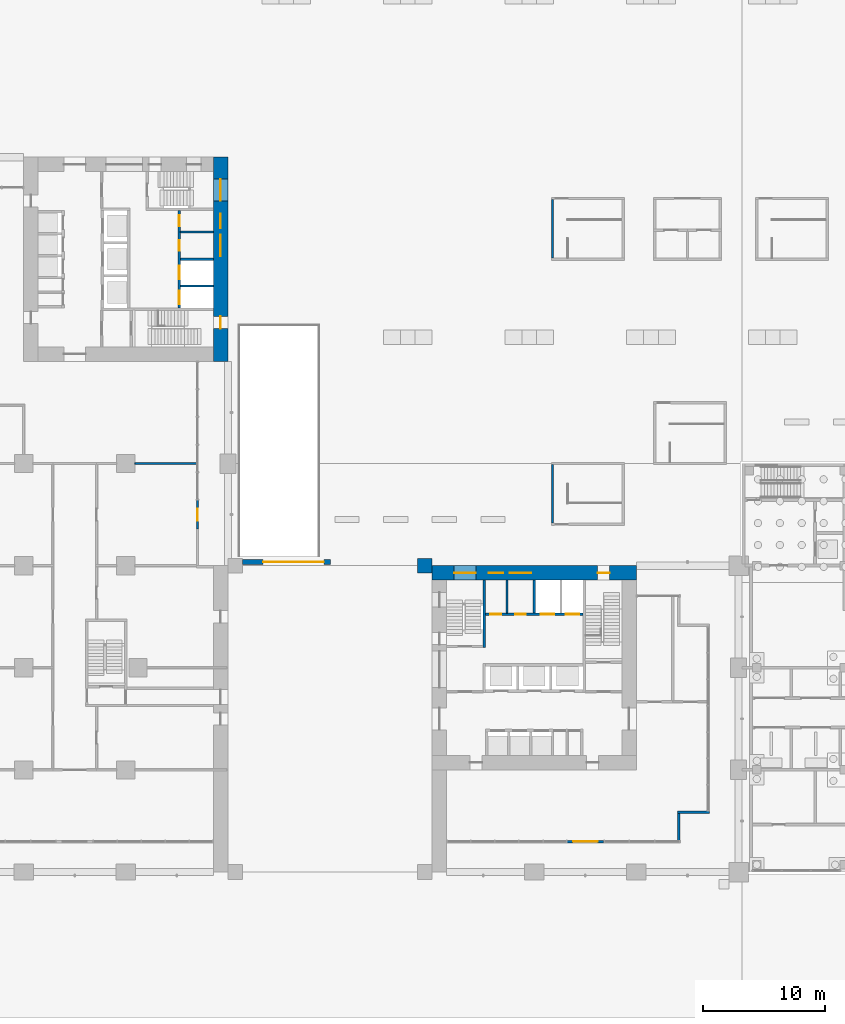
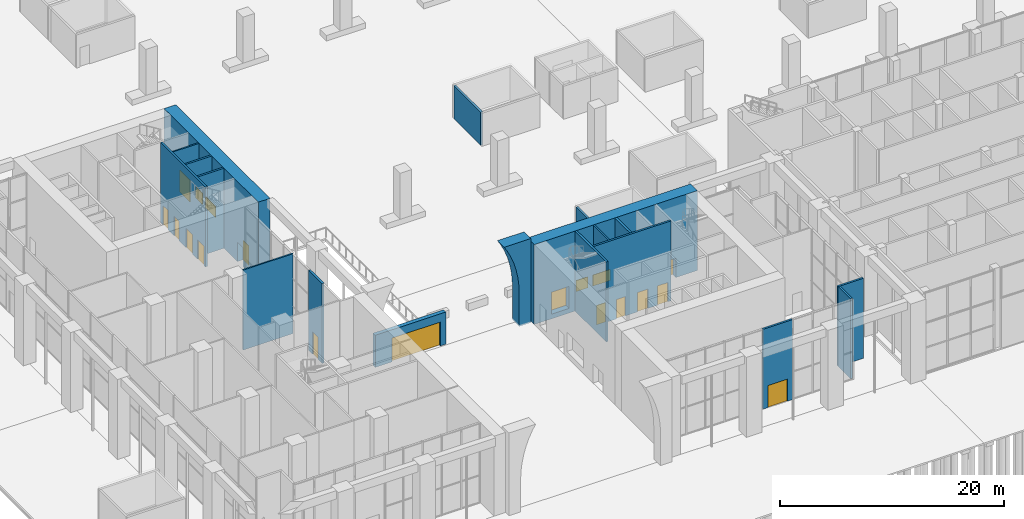
# One storey, part 22 of 46: 19 walls, 13 doors, 6 windows, 19 openings.
"""IFC4 building model written with IfcOpenShell, lengths in metres."""

import ifcopenshell
import ifcopenshell.guid

model = None  # the IFC model being written
_history = None  # IfcOwnerHistory: only IFC2X3 demands one
_inside = {}  # id of a spatial element -> (the spatial element, [elements in it])
_under = {}  # id of a project, library or spatial element -> (it, [spatial elements below it])
_declared = {}  # id of a project -> (the project, [libraries it declares])
_typed = {}  # id of a type object -> (the type object, [elements of that type])
_made_of = {}  # id of a material, layer set ... -> (it, [elements and type objects made of it])


def new_model(schema):
    """Start an empty IFC model of exactly this schema.

    Asked for "IFC4X3", IfcOpenShell would pick the latest addendum, in which some entities
    have other attributes; the version numbers below select the first issue.
    IFC2X3 requires an IfcOwnerHistory on every rooted entity: one is made here for all.
    """
    global model, _history
    if schema == "IFC4X3":
        model = ifcopenshell.file(schema_version=(4, 3, 0, 0))
    else:
        model = ifcopenshell.file(schema=schema)
    _inside.clear()
    _under.clear()
    _declared.clear()
    _typed.clear()
    _made_of.clear()
    _history = None
    if model.schema == "IFC2X3":
        org = make("IfcOrganization", Name="unknown")
        user = make(
            "IfcPersonAndOrganization",
            ThePerson=make("IfcPerson", FamilyName="unknown"),
            TheOrganization=org,
        )
        app = make(
            "IfcApplication",
            ApplicationDeveloper=org,
            Version="unknown",
            ApplicationFullName="unknown",
            ApplicationIdentifier="unknown",
        )
        _history = make(
            "IfcOwnerHistory",
            OwningUser=user,
            OwningApplication=app,
            ChangeAction="ADDED",
            CreationDate=0,
        )
    return model


def make(cls, **values):
    """One entity of the class cls with the attributes given. An attribute that is None is left unset."""
    return model.create_entity(
        cls, **{name: value for name, value in values.items() if value is not None}
    )


def rooted(cls, **values):
    """An entity with a GlobalId (a new one), such as an element, a storey or a relation."""
    return make(cls, GlobalId=ifcopenshell.guid.new(), OwnerHistory=_history, **values)


def si_unit(unit_type, name, prefix=None):
    """IfcSIUnit, for example si_unit("LENGTHUNIT", "METRE", prefix="MILLI")."""
    return make("IfcSIUnit", UnitType=unit_type, Prefix=prefix, Name=name)


def assignment(units):
    """IfcUnitAssignment: the units of a project."""
    return None if units is None else make("IfcUnitAssignment", Units=units)


def point(xyz):
    """IfcCartesianPoint."""
    return None if xyz is None else make("IfcCartesianPoint", Coordinates=xyz)


def direction(xyz):
    """IfcDirection."""
    return None if xyz is None else make("IfcDirection", DirectionRatios=xyz)


def frame(location, z_axis=None, x_axis=None):
    """IfcAxis2Placement3D, a coordinate frame: its origin and axes. An axis left out is left unset."""
    return make(
        "IfcAxis2Placement3D",
        Location=point(location),
        Axis=direction(z_axis),
        RefDirection=direction(x_axis),
    )


def frame_2d(location, x_axis=None):
    """IfcAxis2Placement2D, a coordinate frame in the plane: its origin and x axis."""
    return make(
        "IfcAxis2Placement2D", Location=point(location), RefDirection=direction(x_axis)
    )


def origin():
    """The frame at (0, 0, 0) with its axes left unset."""
    return frame((0.0, 0.0, 0.0))


def place(relative_to, where):
    """IfcLocalPlacement: puts the frame where relative to a parent placement (None: the world)."""
    return make(
        "IfcLocalPlacement", PlacementRelTo=relative_to, RelativePlacement=where
    )


def context(
    kind, dimensions, precision=None, world=None, true_north=None, identifier=None
):
    """IfcGeometricRepresentationContext, for example the 3D "Model" context."""
    return make(
        "IfcGeometricRepresentationContext",
        ContextIdentifier=identifier,
        ContextType=kind,
        CoordinateSpaceDimension=dimensions,
        Precision=precision,
        WorldCoordinateSystem=world,
        TrueNorth=true_north,
    )


def subcontext(parent, identifier, kind, view, scale=None):
    """IfcGeometricRepresentationSubContext, for example "Body" below "Model"."""
    return make(
        "IfcGeometricRepresentationSubContext",
        ContextIdentifier=identifier,
        ContextType=kind,
        ParentContext=parent,
        TargetScale=scale,
        TargetView=view,
    )


def project(units=None, contexts=None):
    """IfcProject with its units and contexts."""
    return rooted(
        "IfcProject",
        Name="project",
        RepresentationContexts=contexts,
        UnitsInContext=assignment(units),
    )


def spatial(cls, under=None, at=None, **own):
    """A site, building, storey or space (cls), placed at a placement, below another one or the project."""
    s = rooted(cls, ObjectPlacement=at, **own)
    if under is not None:
        _under.setdefault(under.id(), (under, []))[1].append(s)
    return s


def polyline(points):
    """IfcPolyline through the points."""
    return make("IfcPolyline", Points=[point(p) for p in points])


def profile(cls, at=None, kind="AREA", **sizes):
    """A parametric profile (cls). Its sizes go by their IFC names, for example OverallWidth=200.0."""
    return make(cls, ProfileType=kind, Position=at, **sizes)


def rectangle(**sizes):
    """IfcRectangleProfileDef."""
    return profile("IfcRectangleProfileDef", **sizes)


def outline(outer, holes=None, kind="AREA"):
    """IfcArbitraryClosedProfileDef: a profile drawn as a closed curve; with holes, ...WithVoids."""
    if holes is None:
        return make("IfcArbitraryClosedProfileDef", ProfileType=kind, OuterCurve=outer)
    return make(
        "IfcArbitraryProfileDefWithVoids",
        ProfileType=kind,
        OuterCurve=outer,
        InnerCurves=holes,
    )


def extrude(swept, where, along, depth):
    """IfcExtrudedAreaSolid: the profile swept, set in the frame where, extruded along a direction by depth."""
    return make(
        "IfcExtrudedAreaSolid",
        SweptArea=swept,
        Position=where,
        ExtrudedDirection=direction(along),
        Depth=depth,
    )


def shape(context_of_items, identifier, shape_type, items):
    """IfcShapeRepresentation: the items that make up one representation, for example the "Body"."""
    return make(
        "IfcShapeRepresentation",
        ContextOfItems=context_of_items,
        RepresentationIdentifier=identifier,
        RepresentationType=shape_type,
        Items=items,
    )


def material(Name=None, Category=None):
    """IfcMaterial."""
    return make("IfcMaterial", Name=Name, Category=Category)


def layer(
    of_material, thickness, ventilated=None, Name=None, Category=None, Priority=None
):
    """IfcMaterialLayer: one layer of a wall or slab, of a material (None: an air gap)."""
    return make(
        "IfcMaterialLayer",
        Material=of_material,
        LayerThickness=thickness,
        IsVentilated=ventilated,
        Name=Name,
        Category=Category,
        Priority=Priority,
    )


def layer_set(layers, Name=None):
    """IfcMaterialLayerSet."""
    return make("IfcMaterialLayerSet", MaterialLayers=layers, LayerSetName=Name)


def made_of(thing, what):
    """Note that an element or type object is made of a material, layer set ...; save() writes the relation."""
    if what is not None:
        _made_of.setdefault(what.id(), (what, []))[1].append(thing)
    return thing


def type_object(cls, material=None, **own):
    """A type object (cls), such as IfcWallType, which elements share."""
    return made_of(rooted(cls, **own), material)


def element(
    cls,
    number,
    at=None,
    inside=None,
    cuts=None,
    type_object=None,
    material=None,
    context=None,
    identifier="Body",
    shape_type=None,
    held_by="IfcProductDefinitionShape",
    body=None,
    shapes=None,
    **own,
):
    """One element of the class cls, such as IfcWall. Its Tag is "e" and its number.

    at: its placement. inside: the storey or other place that contains it. cuts: it is an
    opening in that element (IfcRelVoidsElement). A single representation is given by context,
    identifier, shape_type and body (its items); several are given by shapes. held_by: the class
    of the entity that holds the representations. save() writes the other relations.
    """
    e = rooted(cls, Tag="e%d" % number, ObjectPlacement=at, **own)
    if body is not None:
        shapes = [shape(context, identifier, shape_type, body)]
    if shapes is not None:
        e.Representation = make(held_by, Representations=shapes)
    if inside is not None:
        _inside.setdefault(inside.id(), (inside, []))[1].append(e)
    if cuts is not None:
        rooted(
            "IfcRelVoidsElement", RelatingBuildingElement=cuts, RelatedOpeningElement=e
        )
    if type_object is not None:
        _typed.setdefault(type_object.id(), (type_object, []))[1].append(e)
    return made_of(e, material)


def fill(opening, filler):
    """IfcRelFillsElement: the door or window that sits in an opening."""
    return rooted(
        "IfcRelFillsElement",
        RelatingOpeningElement=opening,
        RelatedBuildingElement=filler,
    )


def aggregate(whole, parts):
    """IfcRelAggregates: a whole, such as a stair, and the parts it consists of."""
    return rooted("IfcRelAggregates", RelatingObject=whole, RelatedObjects=parts)


def save(model, path):
    """Write the relations noted so far, then the file.

    IfcRelAggregates (storeys below a building ...), IfcRelContainedInSpatialStructure (elements
    in a storey), IfcRelDefinesByType, IfcRelAssociatesMaterial and IfcRelDeclares: one each for
    every whole, place, type object, material and project.
    """
    for whole, parts in _under.values():
        aggregate(whole, parts)
    for where, things in _inside.values():
        rooted(
            "IfcRelContainedInSpatialStructure",
            RelatedElements=things,
            RelatingStructure=where,
        )
    for kind, things in _typed.values():
        rooted("IfcRelDefinesByType", RelatedObjects=things, RelatingType=kind)
    for what, things in _made_of.values():
        rooted("IfcRelAssociatesMaterial", RelatedObjects=things, RelatingMaterial=what)
    for by, libraries in _declared.values():
        rooted("IfcRelDeclares", RelatingContext=by, RelatedDefinitions=libraries)
    model.write(path)


model = new_model("IFC4")

# Units and contexts
model_context = context("Model", 3, precision=1e-05, world=origin(), true_north=direction((0.0, 1.0)))
body_context = subcontext(model_context, "Body", "Model", "MODEL_VIEW")
ifc_project = project(units=[si_unit("LENGTHUNIT", "METRE"), si_unit("AREAUNIT", "SQUARE_METRE"), si_unit("VOLUMEUNIT", "CUBIC_METRE"), si_unit("PLANEANGLEUNIT", "RADIAN"), si_unit("MASSUNIT", "GRAM", prefix="KILO")], contexts=[model_context])

# Site, building, storey
site_placement = place(None, origin())
site = spatial("IfcSite", under=ifc_project, at=site_placement, CompositionType="ELEMENT")
building_placement = place(site_placement, origin())
building = spatial("IfcBuilding", under=site, at=building_placement, Name="Vermilion Gate Residences", CompositionType="ELEMENT")
storey_placement = place(building_placement, origin())
storey = spatial("IfcBuildingStorey", under=building, at=storey_placement, Name="L00", CompositionType="ELEMENT", Elevation=0.0)

# Walls
ifc_material_1 = material(Name="Masonry blockwork", Category="masonry")
ifc_layer_1 = layer(ifc_material_1, 0.14990234375)
ifc_layer_set_1 = layer_set([ifc_layer_1], Name="BLOCKWORK PARTITION 150 EI 120")
wall_type_1 = type_object("IfcWallType", Name="BLOCKWORK PARTITION 150 EI 120", PredefinedType="PARTITIONING", material=ifc_layer_set_1)
for number, where, z_axis, x_axis, name in (
    (1, (48.16259765625, 21.300048828125, 0.0), (0.0, 0.0, 1.0), (0.0, 1.0, 0.0), "Core room partition A00-NR-P0"),
    (2, (21.300048828125, 52.637451171875, 0.0), (0.0, 0.0, 1.0), (1.0, 0.0, 0.0), "Core room partition B00-NR-P0"),
):
    element("IfcWall", number, at=place(storey_placement, frame(where, z_axis=z_axis, x_axis=x_axis)), inside=storey, type_object=wall_type_1, Name=name, PredefinedType="PARTITIONING", context=body_context, shape_type="SweptSolid", body=[
        extrude(rectangle(XDim=2.699951171875, YDim=0.14990234375, at=frame_2d((1.35009765625, 0.0))), origin(), (0.0, 0.0, 1.0), 8.699951171875),
    ])

# Wall, opening, door
ifc_material_2 = material(Name="Insulated steel stud wall with terracotta rainscreen", Category="masonry")
ifc_layer_2 = layer(ifc_material_2, 0.199951171875)
ifc_layer_set_2 = layer_set([ifc_layer_2], Name="EXTERNAL WALL 200 TERRACOTTA RAINSCREEN")
wall_type_2 = type_object("IfcWallType", Name="EXTERNAL WALL 200 TERRACOTTA RAINSCREEN", PredefinedType="SOLIDWALL", material=ifc_layer_set_2)
wall_1_placement = place(storey_placement, frame((22.699951171875, 28.199951171875, 0.0), z_axis=(0.0, 0.0, 1.0), x_axis=(0.0, 1.0, 0.0)))
wall_1 = element("IfcWall", 3, at=wall_1_placement, inside=storey, type_object=wall_type_2, Name="External wall", PredefinedType="SOLIDWALL", context=body_context, shape_type="SweptSolid", body=[
    extrude(rectangle(XDim=2.400146484375, YDim=0.199951171875, at=frame_2d((1.2001953125, 0.0))), origin(), (0.0, 0.0, 1.0), 8.699951171875),
])
opening_1_placement = place(wall_1_placement, frame((0.699951171875, 0.0, 0.0)))
opening_1 = element("IfcOpeningElement", 4, at=opening_1_placement, cuts=wall_1, Name="Opening DE00006", PredefinedType="OPENING", context=body_context, shape_type="SweptSolid", body=[
    extrude(rectangle(XDim=1.0, YDim=2.39990234375, at=frame_2d((0.5, 1.199951171875))), frame((0.0, 0.10986328125, 0.0), z_axis=(0.0, -1.0, 0.0), x_axis=(1.0, 0.0, 0.0)), (0.0, 0.0, 1.0), 0.219970703125),
])
ifc_material_3 = material(Name="Aluminium and clear glass", Category="aluminium")
door_type_1 = type_object("IfcDoorType", Name="GLAZED EXTERNAL DOOR 1000 X 2400", OperationType="SINGLE_SWING_LEFT", PredefinedType="DOOR", material=ifc_material_3)
door_1_placement = place(opening_1_placement, frame((1.0, 0.0, 0.0), z_axis=(0.0, 0.0, 1.0), x_axis=(-1.0, 0.0, 0.0)))
door_1 = element("IfcDoor", 5, at=door_1_placement, inside=storey, type_object=door_type_1, Name="Shop door", OperationType="SINGLE_SWING_RIGHT", OverallHeight=2.39990234375, OverallWidth=1.0, PredefinedType="DOOR", context=body_context, shape_type="SweptSolid", body=[
    extrude(rectangle(XDim=1.0, YDim=2.39990234375, at=frame_2d((0.5, 1.199951171875))), frame((0.0, 0.02490234375, 0.0), z_axis=(0.0, -1.0, 0.0), x_axis=(1.0, 0.0, 0.0)), (0.0, 0.0, 1.0), 0.050048828125),
])
fill(opening_1, door_1)

wall_2_placement = place(storey_placement, frame((53.10009765625, 2.5, 0.0), z_axis=(0.0, 0.0, 1.0), x_axis=(1.0, 0.0, 0.0)))
wall_2 = element("IfcWall", 6, at=wall_2_placement, inside=storey, type_object=wall_type_2, Name="External wall", PredefinedType="SOLIDWALL", context=body_context, shape_type="SweptSolid", body=[
    extrude(rectangle(XDim=3.0, YDim=0.199951171875, at=frame_2d((1.5, 0.0))), origin(), (0.0, 0.0, 1.0), 8.699951171875),
])
opening_2_placement = place(wall_2_placement, frame((0.5, 0.0, 0.0)))
opening_2 = element("IfcOpeningElement", 7, at=opening_2_placement, cuts=wall_2, Name="Opening DE00007", PredefinedType="OPENING", context=body_context, shape_type="SweptSolid", body=[
    extrude(rectangle(XDim=2.0, YDim=2.39990234375, at=frame_2d((1.0, 1.199951171875))), frame((0.0, 0.10986328125, 0.0), z_axis=(0.0, -1.0, 0.0), x_axis=(1.0, 0.0, 0.0)), (0.0, 0.0, 1.0), 0.219970703125),
])
ifc_material_4 = material(Name="Aluminium and clear glass", Category="aluminium")
door_type_2 = type_object("IfcDoorType", Name="GLAZED EXTERNAL DOOR 2000 X 2400", OperationType="DOUBLE_DOOR_SINGLE_SWING", PredefinedType="DOOR", material=ifc_material_4)
door_2_placement = place(opening_2_placement, frame((2.0, 0.0, 0.0), z_axis=(0.0, 0.0, 1.0), x_axis=(-1.0, 0.0, 0.0)))
door_2 = element("IfcDoor", 8, at=door_2_placement, inside=storey, type_object=door_type_2, Name="Entrance door", OperationType="DOUBLE_DOOR_SINGLE_SWING", OverallHeight=2.39990234375, OverallWidth=2.0, PredefinedType="DOOR", context=body_context, shape_type="SweptSolid", body=[
    extrude(rectangle(XDim=2.0, YDim=2.39990234375, at=frame_2d((1.0, 1.199951171875))), frame((0.0, 0.02490234375, 0.0), z_axis=(0.0, -1.0, 0.0), x_axis=(1.0, 0.0, 0.0)), (0.0, 0.0, 1.0), 0.050048828125),
])
fill(opening_2, door_2)

# Walls
wall_3_placement = place(storey_placement, frame((62.300048828125, 2.60009765625, 0.0), z_axis=(0.0, 0.0, 1.0), x_axis=(0.0, 1.0, 0.0)))
element("IfcWall", 9, at=wall_3_placement, inside=storey, type_object=wall_type_2, Name="External wall", PredefinedType="SOLIDWALL", context=body_context, shape_type="SweptSolid", body=[
    extrude(rectangle(XDim=2.199951171875, YDim=0.199951171875, at=frame_2d((1.10009765625, 0.0))), origin(), (0.0, 0.0, 1.0), 8.699951171875),
])
wall_4_placement = place(storey_placement, frame((62.199951171875, 4.89990234375, 0.0), z_axis=(0.0, 0.0, 1.0), x_axis=(1.0, 0.0, 0.0)))
element("IfcWall", 10, at=wall_4_placement, inside=storey, type_object=wall_type_2, Name="External wall", PredefinedType="SOLIDWALL", context=body_context, shape_type="SweptSolid", body=[
    extrude(rectangle(XDim=2.60009765625, YDim=0.199951171875, at=frame_2d((1.300048828125, 0.0))), origin(), (0.0, 0.0, 1.0), 8.699951171875),
])
ifc_material_5 = material(Name="Gypsum board on steel studs", Category="steel")
ifc_layer_3 = layer(ifc_material_5, 0.14990234375)
ifc_layer_set_3 = layer_set([ifc_layer_3], Name="PARTITION 150 EI 60 (AMENITY)")
wall_type_3 = type_object("IfcWallType", Name="PARTITION 150 EI 60 (AMENITY)", PredefinedType="PARTITIONING", material=ifc_layer_set_3)
wall_5_placement = place(storey_placement, frame((17.550048828125, 33.60009765625, 0.0), z_axis=(0.0, 0.0, 1.0), x_axis=(1.0, 0.0, 0.0)))
element("IfcWall", 11, at=wall_5_placement, inside=storey, type_object=wall_type_3, Name="Partition 24", PredefinedType="PARTITIONING", context=body_context, shape_type="SweptSolid", body=[
    extrude(rectangle(XDim=5.14990234375, YDim=0.14990234375, at=frame_2d((2.574951171875, 0.0))), origin(), (0.0, 0.0, 1.0), 8.699951171875),
])

# Wall, opening, door
ifc_material_6 = material(Name="Concrete C40", Category="concrete")
ifc_layer_4 = layer(ifc_material_6, 0.39990234375)
ifc_layer_set_4 = layer_set([ifc_layer_4], Name="PORTAL WALL 400 EI 120 (AMENITY)")
wall_type_4 = type_object("IfcWallType", Name="PORTAL WALL 400 EI 120 (AMENITY)", PredefinedType="SOLIDWALL", material=ifc_layer_set_4)
wall_6_placement = place(storey_placement, frame((26.39990234375, 25.5, 0.0), z_axis=(0.0, 0.0, 1.0), x_axis=(1.0, 0.0, 0.0)))
wall_6 = element("IfcWall", 12, at=wall_6_placement, inside=storey, type_object=wall_type_4, Name="Garage entrance portal wall", PredefinedType="SOLIDWALL", context=body_context, shape_type="SweptSolid", body=[
    extrude(rectangle(XDim=7.25, YDim=0.39990234375, at=frame_2d((3.625, 0.0))), origin(), (0.0, 0.0, 1.0), 3.5),
])
opening_3_placement = place(wall_6_placement, frame((1.699951171875, 0.0, 0.0)))
opening_3 = element("IfcOpeningElement", 13, at=opening_3_placement, cuts=wall_6, Name="Opening VG1", PredefinedType="OPENING", context=body_context, shape_type="SweptSolid", body=[
    extrude(rectangle(XDim=5.0, YDim=2.60009765625, at=frame_2d((2.5, 1.300048828125))), frame((0.0, 0.2099609375, 0.0), z_axis=(0.0, -1.0, 0.0), x_axis=(1.0, 0.0, 0.0)), (0.0, 0.0, 1.0), 0.419921875),
])
ifc_material_7 = material(Name="Steel", Category="steel")
door_type_3 = type_object("IfcDoorType", Name="VEHICLE GATE 5000 X 2600 (AMENITY)", OperationType="ROLLINGUP", PredefinedType="GATE", material=ifc_material_7)
door_3_placement = place(opening_3_placement, origin())
door_3 = element("IfcDoor", 14, at=door_3_placement, inside=storey, type_object=door_type_3, Name="Vehicle gate", OperationType="ROLLINGUP", OverallHeight=2.60009765625, OverallWidth=5.0, PredefinedType="GATE", context=body_context, shape_type="SweptSolid", body=[
    extrude(rectangle(XDim=5.0, YDim=2.60009765625, at=frame_2d((2.5, 1.300048828125))), frame((0.0, 0.02490234375, 0.0), z_axis=(0.0, -1.0, 0.0), x_axis=(1.0, 0.0, 0.0)), (0.0, 0.0, 1.0), 0.050048828125),
])
fill(opening_3, door_3)

# Wall
ifc_material_8 = material(Name="Concrete C60", Category="concrete")
ifc_layer_5 = layer(ifc_material_8, 0.199951171875)
ifc_layer_set_5 = layer_set([ifc_layer_5], Name="RC CORE INTERNAL WALL 200 C60")
wall_type_5 = type_object("IfcWallType", Name="RC CORE INTERNAL WALL 200 C60", PredefinedType="SHEAR", material=ifc_layer_set_5)
wall_7_placement = place(storey_placement, frame((50.39990234375, 21.300048828125, 0.0), z_axis=(0.0, 0.0, 1.0), x_axis=(0.0, 1.0, 0.0)))
element("IfcWall", 15, at=wall_7_placement, inside=storey, type_object=wall_type_5, Name="Core internal wall A00-FF-D0", PredefinedType="SHEAR", context=body_context, shape_type="SweptSolid", body=[
    extrude(rectangle(XDim=2.699951171875, YDim=0.199951171875, at=frame_2d((1.35009765625, 0.0))), origin(), (0.0, 0.0, 1.0), 8.699951171875),
])

# Wall, openings, doors
wall_8_placement = place(storey_placement, frame((46.39990234375, 21.199951171875, 0.0), z_axis=(0.0, 0.0, 1.0), x_axis=(1.0, 0.0, 0.0)))
wall_8 = element("IfcWall", 16, at=wall_8_placement, inside=storey, type_object=wall_type_5, Name="Core internal wall A00-FF-F", PredefinedType="SHEAR", context=body_context, shape_type="SweptSolid", body=[
    extrude(rectangle(XDim=8.0, YDim=0.199951171875, at=frame_2d((4.0, 0.0))), origin(), (0.0, 0.0, 1.0), 8.699951171875),
])
opening_4_placement = place(wall_8_placement, frame((0.393798828125, 0.0, 0.0)))
opening_4 = element("IfcOpeningElement", 17, at=opening_4_placement, cuts=wall_8, Name="Opening DK00015", PredefinedType="OPENING", context=body_context, shape_type="SweptSolid", body=[
    extrude(rectangle(XDim=0.89990234375, YDim=2.10009765625, at=frame_2d((0.449951171875, 1.050048828125))), frame((0.0, 0.10986328125, 0.0), z_axis=(0.0, -1.0, 0.0), x_axis=(1.0, 0.0, 0.0)), (0.0, 0.0, 1.0), 0.219970703125),
])
opening_5_placement = place(wall_8_placement, frame((2.418701171875, 0.0, 0.0)))
opening_5 = element("IfcOpeningElement", 18, at=opening_5_placement, cuts=wall_8, Name="Opening DK00016", PredefinedType="OPENING", context=body_context, shape_type="SweptSolid", body=[
    extrude(rectangle(XDim=0.89990234375, YDim=2.10009765625, at=frame_2d((0.449951171875, 1.050048828125))), frame((0.0, 0.10986328125, 0.0), z_axis=(0.0, -1.0, 0.0), x_axis=(1.0, 0.0, 0.0)), (0.0, 0.0, 1.0), 0.219970703125),
])
opening_6_placement = place(wall_8_placement, frame((4.550048828125, 0.0, 0.0)))
opening_6 = element("IfcOpeningElement", 19, at=opening_6_placement, cuts=wall_8, Name="Opening LD", PredefinedType="OPENING", context=body_context, shape_type="SweptSolid", body=[
    extrude(rectangle(XDim=1.10009765625, YDim=2.10009765625, at=frame_2d((0.550048828125, 1.050048828125))), frame((0.0, 0.10986328125, 0.0), z_axis=(0.0, -1.0, 0.0), x_axis=(1.0, 0.0, 0.0)), (0.0, 0.0, 1.0), 0.219970703125),
])
opening_7_placement = place(wall_8_placement, frame((6.60009765625, 0.0, 0.0)))
opening_7 = element("IfcOpeningElement", 20, at=opening_7_placement, cuts=wall_8, Name="Opening LD", PredefinedType="OPENING", context=body_context, shape_type="SweptSolid", body=[
    extrude(rectangle(XDim=1.10009765625, YDim=2.10009765625, at=frame_2d((0.550048828125, 1.050048828125))), frame((0.0, 0.10986328125, 0.0), z_axis=(0.0, -1.0, 0.0), x_axis=(1.0, 0.0, 0.0)), (0.0, 0.0, 1.0), 0.219970703125),
])
ifc_material_9 = material(Name="Stainless steel", Category="steel")
door_type_4 = type_object("IfcDoorType", Name="LIFT LANDING DOOR E60 1100 X 2100", OperationType="DOUBLE_DOOR_SLIDING", PredefinedType="DOOR", material=ifc_material_9)
door_4_placement = place(opening_6_placement, origin())
door_4 = element("IfcDoor", 21, at=door_4_placement, inside=storey, type_object=door_type_4, Name="Lift landing door LFA1", OperationType="DOUBLE_DOOR_SLIDING", OverallHeight=2.10009765625, OverallWidth=1.10009765625, PredefinedType="DOOR", context=body_context, shape_type="SweptSolid", body=[
    extrude(rectangle(XDim=1.10009765625, YDim=2.10009765625, at=frame_2d((0.550048828125, 1.050048828125))), frame((0.0, 0.02490234375, 0.0), z_axis=(0.0, -1.0, 0.0), x_axis=(1.0, 0.0, 0.0)), (0.0, 0.0, 1.0), 0.050048828125),
])
fill(opening_6, door_4)
door_5_placement = place(opening_7_placement, origin())
door_5 = element("IfcDoor", 22, at=door_5_placement, inside=storey, type_object=door_type_4, Name="Lift landing door LCA1", OperationType="DOUBLE_DOOR_SLIDING", OverallHeight=2.10009765625, OverallWidth=1.10009765625, PredefinedType="DOOR", context=body_context, shape_type="SweptSolid", body=[
    extrude(rectangle(XDim=1.10009765625, YDim=2.10009765625, at=frame_2d((0.550048828125, 1.050048828125))), frame((0.0, 0.02490234375, 0.0), z_axis=(0.0, -1.0, 0.0), x_axis=(1.0, 0.0, 0.0)), (0.0, 0.0, 1.0), 0.050048828125),
])
fill(opening_7, door_5)
ifc_material_10 = material(Name="Steel", Category="steel")
door_type_5 = type_object("IfcDoorType", Name="SERVICE ROOM DOOR FD60 900 X 2100", OperationType="SINGLE_SWING_LEFT", PredefinedType="DOOR", material=ifc_material_10)
door_6_placement = place(opening_4_placement, origin())
door_6 = element("IfcDoor", 23, at=door_6_placement, inside=storey, type_object=door_type_5, Name="Communications riser A00", OperationType="SINGLE_SWING_LEFT", OverallHeight=2.10009765625, OverallWidth=0.89990234375, PredefinedType="DOOR", context=body_context, shape_type="SweptSolid", body=[
    extrude(rectangle(XDim=0.89990234375, YDim=2.10009765625, at=frame_2d((0.449951171875, 1.050048828125))), frame((0.0, 0.02490234375, 0.0), z_axis=(0.0, -1.0, 0.0), x_axis=(1.0, 0.0, 0.0)), (0.0, 0.0, 1.0), 0.050048828125),
])
fill(opening_4, door_6)
door_7_placement = place(opening_5_placement, origin())
door_7 = element("IfcDoor", 24, at=door_7_placement, inside=storey, type_object=door_type_5, Name="Refuse room A00", OperationType="SINGLE_SWING_LEFT", OverallHeight=2.10009765625, OverallWidth=0.89990234375, PredefinedType="DOOR", context=body_context, shape_type="SweptSolid", body=[
    extrude(rectangle(XDim=0.89990234375, YDim=2.10009765625, at=frame_2d((0.449951171875, 1.050048828125))), frame((0.0, 0.02490234375, 0.0), z_axis=(0.0, -1.0, 0.0), x_axis=(1.0, 0.0, 0.0)), (0.0, 0.0, 1.0), 0.050048828125),
])
fill(opening_5, door_7)

# Walls
wall_9_placement = place(storey_placement, frame((46.300048828125, 18.449951171875, 0.0), z_axis=(0.0, 0.0, 1.0), x_axis=(0.0, 1.0, 0.0)))
element("IfcWall", 25, at=wall_9_placement, inside=storey, type_object=wall_type_5, Name="Core internal wall A00-WDIV2", PredefinedType="SHEAR", context=body_context, shape_type="SweptSolid", body=[
    extrude(rectangle(XDim=5.550048828125, YDim=0.199951171875, at=frame_2d((2.77490234375, 0.0))), origin(), (0.0, 0.0, 1.0), 8.699951171875),
])
for number, where, z_axis, x_axis, name in (
    (26, (21.300048828125, 50.39990234375, 0.0), (0.0, 0.0, 1.0), (1.0, 0.0, 0.0), "Core internal wall B00-FF-D0"),
    (27, (21.300048828125, 48.199951171875, 0.0), (0.0, 0.0, 1.0), (1.0, 0.0, 0.0), "Core internal wall B00-FF-D1"),
):
    element("IfcWall", number, at=place(storey_placement, frame(where, z_axis=z_axis, x_axis=x_axis)), inside=storey, type_object=wall_type_5, Name=name, PredefinedType="SHEAR", context=body_context, shape_type="SweptSolid", body=[
        extrude(rectangle(XDim=2.699951171875, YDim=0.199951171875, at=frame_2d((1.35009765625, 0.0))), origin(), (0.0, 0.0, 1.0), 8.699951171875),
    ])

# Wall, openings, doors
wall_10_placement = place(storey_placement, frame((21.199951171875, 54.39990234375, 0.0), z_axis=(0.0, 0.0, 1.0), x_axis=(0.0, -1.0, 0.0)))
wall_10 = element("IfcWall", 28, at=wall_10_placement, inside=storey, type_object=wall_type_5, Name="Core internal wall B00-FF-F", PredefinedType="SHEAR", context=body_context, shape_type="SweptSolid", body=[
    extrude(rectangle(XDim=8.0, YDim=0.199951171875, at=frame_2d((4.0, 0.0))), origin(), (0.0, 0.0, 1.0), 8.699951171875),
])
opening_8_placement = place(wall_10_placement, frame((0.393798828125, 0.0, 0.0)))
opening_8 = element("IfcOpeningElement", 29, at=opening_8_placement, cuts=wall_10, Name="Opening DK00115", PredefinedType="OPENING", context=body_context, shape_type="SweptSolid", body=[
    extrude(rectangle(XDim=0.89990234375, YDim=2.10009765625, at=frame_2d((0.449951171875, 1.050048828125))), frame((0.0, 0.10986328125, 0.0), z_axis=(0.0, -1.0, 0.0), x_axis=(1.0, 0.0, 0.0)), (0.0, 0.0, 1.0), 0.219970703125),
])
opening_9_placement = place(wall_10_placement, frame((2.418701171875, 0.0, 0.0)))
opening_9 = element("IfcOpeningElement", 30, at=opening_9_placement, cuts=wall_10, Name="Opening DK00116", PredefinedType="OPENING", context=body_context, shape_type="SweptSolid", body=[
    extrude(rectangle(XDim=0.89990234375, YDim=2.10009765625, at=frame_2d((0.449951171875, 1.050048828125))), frame((0.0, 0.10986328125, 0.0), z_axis=(0.0, -1.0, 0.0), x_axis=(1.0, 0.0, 0.0)), (0.0, 0.0, 1.0), 0.219970703125),
])
opening_10_placement = place(wall_10_placement, frame((4.550048828125, 0.0, 0.0)))
opening_10 = element("IfcOpeningElement", 31, at=opening_10_placement, cuts=wall_10, Name="Opening LD", PredefinedType="OPENING", context=body_context, shape_type="SweptSolid", body=[
    extrude(rectangle(XDim=1.10009765625, YDim=2.10009765625, at=frame_2d((0.550048828125, 1.050048828125))), frame((0.0, 0.10986328125, 0.0), z_axis=(0.0, -1.0, 0.0), x_axis=(1.0, 0.0, 0.0)), (0.0, 0.0, 1.0), 0.219970703125),
])
opening_11_placement = place(wall_10_placement, frame((6.60009765625, 0.0, 0.0)))
opening_11 = element("IfcOpeningElement", 32, at=opening_11_placement, cuts=wall_10, Name="Opening LD", PredefinedType="OPENING", context=body_context, shape_type="SweptSolid", body=[
    extrude(rectangle(XDim=1.10009765625, YDim=2.10009765625, at=frame_2d((0.550048828125, 1.050048828125))), frame((0.0, 0.10986328125, 0.0), z_axis=(0.0, -1.0, 0.0), x_axis=(1.0, 0.0, 0.0)), (0.0, 0.0, 1.0), 0.219970703125),
])
door_8_placement = place(opening_10_placement, origin())
door_8 = element("IfcDoor", 33, at=door_8_placement, inside=storey, type_object=door_type_4, Name="Lift landing door LFB1", OperationType="DOUBLE_DOOR_SLIDING", OverallHeight=2.10009765625, OverallWidth=1.10009765625, PredefinedType="DOOR", context=body_context, shape_type="SweptSolid", body=[
    extrude(rectangle(XDim=1.10009765625, YDim=2.10009765625, at=frame_2d((0.550048828125, 1.050048828125))), frame((0.0, 0.02490234375, 0.0), z_axis=(0.0, -1.0, 0.0), x_axis=(1.0, 0.0, 0.0)), (0.0, 0.0, 1.0), 0.050048828125),
])
fill(opening_10, door_8)
door_9_placement = place(opening_11_placement, origin())
door_9 = element("IfcDoor", 34, at=door_9_placement, inside=storey, type_object=door_type_4, Name="Lift landing door LCB1", OperationType="DOUBLE_DOOR_SLIDING", OverallHeight=2.10009765625, OverallWidth=1.10009765625, PredefinedType="DOOR", context=body_context, shape_type="SweptSolid", body=[
    extrude(rectangle(XDim=1.10009765625, YDim=2.10009765625, at=frame_2d((0.550048828125, 1.050048828125))), frame((0.0, 0.02490234375, 0.0), z_axis=(0.0, -1.0, 0.0), x_axis=(1.0, 0.0, 0.0)), (0.0, 0.0, 1.0), 0.050048828125),
])
fill(opening_11, door_9)
door_10_placement = place(opening_8_placement, origin())
door_10 = element("IfcDoor", 35, at=door_10_placement, inside=storey, type_object=door_type_5, Name="Communications riser B00", OperationType="SINGLE_SWING_RIGHT", OverallHeight=2.10009765625, OverallWidth=0.89990234375, PredefinedType="DOOR", context=body_context, shape_type="SweptSolid", body=[
    extrude(rectangle(XDim=0.89990234375, YDim=2.10009765625, at=frame_2d((0.449951171875, 1.050048828125))), frame((0.0, 0.02490234375, 0.0), z_axis=(0.0, -1.0, 0.0), x_axis=(1.0, 0.0, 0.0)), (0.0, 0.0, 1.0), 0.050048828125),
])
fill(opening_8, door_10)
door_11_placement = place(opening_9_placement, origin())
door_11 = element("IfcDoor", 36, at=door_11_placement, inside=storey, type_object=door_type_5, Name="Refuse room B00", OperationType="SINGLE_SWING_RIGHT", OverallHeight=2.10009765625, OverallWidth=0.89990234375, PredefinedType="DOOR", context=body_context, shape_type="SweptSolid", body=[
    extrude(rectangle(XDim=0.89990234375, YDim=2.10009765625, at=frame_2d((0.449951171875, 1.050048828125))), frame((0.0, 0.02490234375, 0.0), z_axis=(0.0, -1.0, 0.0), x_axis=(1.0, 0.0, 0.0)), (0.0, 0.0, 1.0), 0.050048828125),
])
fill(opening_9, door_11)

# Wall, openings, windows, door
ifc_material_11 = material(Name="Concrete C80 red-oxide pigmented", Category="concrete")
ifc_layer_6 = layer(ifc_material_11, 1.199951171875)
ifc_layer_set_6 = layer_set([ifc_layer_6], Name="RC CORE WALL 1200 C80 RED OXIDE")
wall_type_6 = type_object("IfcWallType", Name="RC CORE WALL 1200 C80 RED OXIDE", PredefinedType="SHEAR", material=ifc_layer_set_6)
wall_11_placement = place(storey_placement, frame((42.0, 24.60009765625, 0.0), z_axis=(0.0, 0.0, 1.0), x_axis=(1.0, 0.0, 0.0)))
wall_11 = element("IfcWall", 37, at=wall_11_placement, inside=storey, type_object=wall_type_6, Name="Core wall A00-OUT-B1", PredefinedType="SHEAR", context=body_context, shape_type="SweptSolid", body=[
    extrude(rectangle(XDim=16.800048828125, YDim=1.199951171875, at=frame_2d((8.39990234375, 0.0))), origin(), (0.0, 0.0, 1.0), 8.699951171875),
])
opening_12_placement = place(wall_11_placement, frame((13.60009765625, 0.0, 0.0)))
opening_12 = element("IfcOpeningElement", 38, at=opening_12_placement, cuts=wall_11, Name="Opening DK00003", PredefinedType="OPENING", context=body_context, shape_type="SweptSolid", body=[
    extrude(rectangle(XDim=1.0, YDim=2.10009765625, at=frame_2d((0.5, 1.050048828125))), frame((0.0, 0.60986328125, 0.0), z_axis=(0.0, -1.0, 0.0), x_axis=(1.0, 0.0, 0.0)), (0.0, 0.0, 1.0), 1.219970703125),
])
opening_13_placement = place(wall_11_placement, frame((1.800048828125, 0.0, 0.5)))
opening_13 = element("IfcOpeningElement", 39, at=opening_13_placement, cuts=wall_11, Name="Opening WKA0001", PredefinedType="OPENING", context=body_context, shape_type="SweptSolid", body=[
    extrude(rectangle(XDim=1.800048828125, YDim=2.39990234375, at=frame_2d((0.89990234375, 1.199951171875))), frame((0.0, 0.60986328125, 0.0), z_axis=(0.0, -1.0, 0.0), x_axis=(1.0, 0.0, 0.0)), (0.0, 0.0, 1.0), 1.219970703125),
])
opening_14_placement = place(wall_11_placement, frame((4.643798828125, 0.0, 1.60009765625)))
opening_14 = element("IfcOpeningElement", 40, at=opening_14_placement, cuts=wall_11, Name="Opening WKA0002", PredefinedType="OPENING", context=body_context, shape_type="SweptSolid", body=[
    extrude(rectangle(XDim=1.199951171875, YDim=1.199951171875, at=frame_2d((0.60009765625, 0.60009765625))), frame((0.0, 0.60986328125, 0.0), z_axis=(0.0, -1.0, 0.0), x_axis=(1.0, 0.0, 0.0)), (0.0, 0.0, 1.0), 1.219970703125),
])
opening_15_placement = place(wall_11_placement, frame((6.368896484375, 0.0, 1.60009765625)))
opening_15 = element("IfcOpeningElement", 41, at=opening_15_placement, cuts=wall_11, Name="Opening WKA0003", PredefinedType="OPENING", context=body_context, shape_type="SweptSolid", body=[
    extrude(rectangle(XDim=1.800048828125, YDim=1.199951171875, at=frame_2d((0.89990234375, 0.60009765625))), frame((0.0, 0.60986328125, 0.0), z_axis=(0.0, -1.0, 0.0), x_axis=(1.0, 0.0, 0.0)), (0.0, 0.0, 1.0), 1.219970703125),
])
ifc_material_12 = material(Name="Aluminium frame with louvre blades", Category="aluminium")
window_type_1 = type_object("IfcWindowType", Name="CORE LOUVRE 1200 X 1200", PartitioningType="SINGLE_PANEL", PredefinedType="WINDOW", material=ifc_material_12)
window_1_placement = place(opening_14_placement, origin())
window_1 = element("IfcWindow", 42, at=window_1_placement, inside=storey, type_object=window_type_1, Name="Core louvre", OverallHeight=1.199951171875, OverallWidth=1.199951171875, PartitioningType="SINGLE_PANEL", PredefinedType="WINDOW", context=body_context, shape_type="SweptSolid", body=[
    extrude(rectangle(XDim=1.199951171875, YDim=1.199951171875, at=frame_2d((0.60009765625, 0.60009765625))), frame((0.0, 0.030029296875, 0.0), z_axis=(0.0, -1.0, 0.0), x_axis=(1.0, 0.0, 0.0)), (0.0, 0.0, 1.0), 0.06005859375),
])
fill(opening_14, window_1)
ifc_material_13 = material(Name="Aluminium frame with louvre blades", Category="aluminium")
window_type_2 = type_object("IfcWindowType", Name="CORE LOUVRE 1800 X 1200", PartitioningType="SINGLE_PANEL", PredefinedType="WINDOW", material=ifc_material_13)
window_2_placement = place(opening_15_placement, origin())
window_2 = element("IfcWindow", 43, at=window_2_placement, inside=storey, type_object=window_type_2, Name="Core louvre", OverallHeight=1.199951171875, OverallWidth=1.800048828125, PartitioningType="SINGLE_PANEL", PredefinedType="WINDOW", context=body_context, shape_type="SweptSolid", body=[
    extrude(rectangle(XDim=1.800048828125, YDim=1.199951171875, at=frame_2d((0.89990234375, 0.60009765625))), frame((0.0, 0.030029296875, 0.0), z_axis=(0.0, -1.0, 0.0), x_axis=(1.0, 0.0, 0.0)), (0.0, 0.0, 1.0), 0.06005859375),
])
fill(opening_15, window_2)
ifc_material_14 = material(Name="Aluminium and clear glass", Category="aluminium")
window_type_3 = type_object("IfcWindowType", Name="CORE STAIR WINDOW 1800 X 2400", PartitioningType="SINGLE_PANEL", PredefinedType="WINDOW", material=ifc_material_14)
window_3_placement = place(opening_13_placement, origin())
window_3 = element("IfcWindow", 44, at=window_3_placement, inside=storey, type_object=window_type_3, Name="Core stair window", OverallHeight=2.39990234375, OverallWidth=1.800048828125, PartitioningType="SINGLE_PANEL", PredefinedType="WINDOW", context=body_context, shape_type="SweptSolid", body=[
    extrude(rectangle(XDim=1.800048828125, YDim=2.39990234375, at=frame_2d((0.89990234375, 1.199951171875))), frame((0.0, 0.030029296875, 0.0), z_axis=(0.0, -1.0, 0.0), x_axis=(1.0, 0.0, 0.0)), (0.0, 0.0, 1.0), 0.06005859375),
])
fill(opening_13, window_3)
ifc_material_15 = material(Name="Steel", Category="steel")
door_type_6 = type_object("IfcDoorType", Name="STAIR EXIT DOOR FD60 1000 X 2100", OperationType="SINGLE_SWING_LEFT", PredefinedType="DOOR", material=ifc_material_15)
door_12_placement = place(opening_12_placement, origin())
door_12 = element("IfcDoor", 45, at=door_12_placement, inside=storey, type_object=door_type_6, Name="Stair exit door A00", OperationType="SINGLE_SWING_LEFT", OverallHeight=2.10009765625, OverallWidth=1.0, PredefinedType="DOOR", context=body_context, shape_type="SweptSolid", body=[
    extrude(rectangle(XDim=1.0, YDim=2.10009765625, at=frame_2d((0.5, 1.050048828125))), frame((0.0, 0.02490234375, 0.0), z_axis=(0.0, -1.0, 0.0), x_axis=(1.0, 0.0, 0.0)), (0.0, 0.0, 1.0), 0.050048828125),
])
fill(opening_12, door_12)

wall_12_placement = place(storey_placement, frame((24.60009765625, 58.800048828125, 0.0), z_axis=(0.0, 0.0, 1.0), x_axis=(0.0, -1.0, 0.0)))
wall_12 = element("IfcWall", 46, at=wall_12_placement, inside=storey, type_object=wall_type_6, Name="Core wall B00-OUT-B1", PredefinedType="SHEAR", context=body_context, shape_type="SweptSolid", body=[
    extrude(rectangle(XDim=16.800048828125, YDim=1.199951171875, at=frame_2d((8.39990234375, 0.0))), origin(), (0.0, 0.0, 1.0), 8.699951171875),
])
opening_16_placement = place(wall_12_placement, frame((13.10009765625, 0.0, 0.0)))
opening_16 = element("IfcOpeningElement", 47, at=opening_16_placement, cuts=wall_12, Name="Opening DK00103", PredefinedType="OPENING", context=body_context, shape_type="SweptSolid", body=[
    extrude(rectangle(XDim=1.0, YDim=2.10009765625, at=frame_2d((0.5, 1.050048828125))), frame((0.0, 0.60986328125, 0.0), z_axis=(0.0, -1.0, 0.0), x_axis=(1.0, 0.0, 0.0)), (0.0, 0.0, 1.0), 1.219970703125),
])
opening_17_placement = place(wall_12_placement, frame((1.800048828125, 0.0, 0.5)))
opening_17 = element("IfcOpeningElement", 48, at=opening_17_placement, cuts=wall_12, Name="Opening WKB0001", PredefinedType="OPENING", context=body_context, shape_type="SweptSolid", body=[
    extrude(rectangle(XDim=1.800048828125, YDim=2.39990234375, at=frame_2d((0.89990234375, 1.199951171875))), frame((0.0, 0.60986328125, 0.0), z_axis=(0.0, -1.0, 0.0), x_axis=(1.0, 0.0, 0.0)), (0.0, 0.0, 1.0), 1.219970703125),
])
opening_18_placement = place(wall_12_placement, frame((4.643798828125, 0.0, 1.60009765625)))
opening_18 = element("IfcOpeningElement", 49, at=opening_18_placement, cuts=wall_12, Name="Opening WKB0002", PredefinedType="OPENING", context=body_context, shape_type="SweptSolid", body=[
    extrude(rectangle(XDim=1.199951171875, YDim=1.199951171875, at=frame_2d((0.60009765625, 0.60009765625))), frame((0.0, 0.60986328125, 0.0), z_axis=(0.0, -1.0, 0.0), x_axis=(1.0, 0.0, 0.0)), (0.0, 0.0, 1.0), 1.219970703125),
])
opening_19_placement = place(wall_12_placement, frame((6.36865234375, 0.0, 1.60009765625)))
opening_19 = element("IfcOpeningElement", 50, at=opening_19_placement, cuts=wall_12, Name="Opening WKB0003", PredefinedType="OPENING", context=body_context, shape_type="SweptSolid", body=[
    extrude(rectangle(XDim=1.800048828125, YDim=1.199951171875, at=frame_2d((0.89990234375, 0.60009765625))), frame((0.0, 0.60986328125, 0.0), z_axis=(0.0, -1.0, 0.0), x_axis=(1.0, 0.0, 0.0)), (0.0, 0.0, 1.0), 1.219970703125),
])
window_4_placement = place(opening_18_placement, origin())
window_4 = element("IfcWindow", 51, at=window_4_placement, inside=storey, type_object=window_type_1, Name="Core louvre", OverallHeight=1.199951171875, OverallWidth=1.199951171875, PartitioningType="SINGLE_PANEL", PredefinedType="WINDOW", context=body_context, shape_type="SweptSolid", body=[
    extrude(rectangle(XDim=1.199951171875, YDim=1.199951171875, at=frame_2d((0.60009765625, 0.60009765625))), frame((0.0, 0.030029296875, 0.0), z_axis=(0.0, -1.0, 0.0), x_axis=(1.0, 0.0, 0.0)), (0.0, 0.0, 1.0), 0.06005859375),
])
fill(opening_18, window_4)
window_5_placement = place(opening_19_placement, origin())
window_5 = element("IfcWindow", 52, at=window_5_placement, inside=storey, type_object=window_type_2, Name="Core louvre", OverallHeight=1.199951171875, OverallWidth=1.800048828125, PartitioningType="SINGLE_PANEL", PredefinedType="WINDOW", context=body_context, shape_type="SweptSolid", body=[
    extrude(rectangle(XDim=1.800048828125, YDim=1.199951171875, at=frame_2d((0.89990234375, 0.60009765625))), frame((0.0, 0.030029296875, 0.0), z_axis=(0.0, -1.0, 0.0), x_axis=(1.0, 0.0, 0.0)), (0.0, 0.0, 1.0), 0.06005859375),
])
fill(opening_19, window_5)
window_6_placement = place(opening_17_placement, origin())
window_6 = element("IfcWindow", 53, at=window_6_placement, inside=storey, type_object=window_type_3, Name="Core stair window", OverallHeight=2.39990234375, OverallWidth=1.800048828125, PartitioningType="SINGLE_PANEL", PredefinedType="WINDOW", context=body_context, shape_type="SweptSolid", body=[
    extrude(rectangle(XDim=1.800048828125, YDim=2.39990234375, at=frame_2d((0.89990234375, 1.199951171875))), frame((0.0, 0.030029296875, 0.0), z_axis=(0.0, -1.0, 0.0), x_axis=(1.0, 0.0, 0.0)), (0.0, 0.0, 1.0), 0.06005859375),
])
fill(opening_17, window_6)
door_13_placement = place(opening_16_placement, origin())
door_13 = element("IfcDoor", 54, at=door_13_placement, inside=storey, type_object=door_type_6, Name="Stair exit door B00", OperationType="SINGLE_SWING_LEFT", OverallHeight=2.10009765625, OverallWidth=1.0, PredefinedType="DOOR", context=body_context, shape_type="SweptSolid", body=[
    extrude(rectangle(XDim=1.0, YDim=2.10009765625, at=frame_2d((0.5, 1.050048828125))), frame((0.0, 0.02490234375, 0.0), z_axis=(0.0, -1.0, 0.0), x_axis=(1.0, 0.0, 0.0)), (0.0, 0.0, 1.0), 0.050048828125),
])
fill(opening_16, door_13)

# Walls
ifc_material_16 = material(Name="Concrete C70 vermilion pigmented", Category="concrete")
ifc_layer_7 = layer(ifc_material_16, 1.199951171875)
ifc_layer_set_7 = layer_set([ifc_layer_7], Name="RC PORTAL ARCH WALL 1200 C70 VERMILION")
wall_type_7 = type_object("IfcWallType", Name="RC PORTAL ARCH WALL 1200 C70 VERMILION", PredefinedType="SHEAR", material=ifc_layer_set_7)
wall_13_placement = place(storey_placement, frame((42.0, 25.800048828125, -0.14990234375), z_axis=(0.0, 1.0, 0.0), x_axis=(-1.0, 0.0, 0.0)))
element("IfcWall", 55, at=wall_13_placement, inside=storey, type_object=wall_type_7, Name="Portal arch wall N low 2", PredefinedType="SHEAR", context=body_context, shape_type="SweptSolid", body=[
    extrude(outline(polyline([(0.0, 0.0), (1.199951171875, 0.0), (1.199951171875, 3.64990234375), (1.234619140625, 4.522216796875), (1.33837890625, 5.38623046875), (1.510009765625, 6.2333984375), (1.748046875, 7.055908203125), (2.05029296875, 7.84521484375), (2.413330078125, 8.594482421875), (2.74658203125, 9.14990234375), (0.0, 9.14990234375), (0.0, 0.0)])), origin(), (0.0, 0.0, -1.0), 1.199951171875),
])
ifc_material_17 = material(Name="Concrete C40", Category="concrete")
ifc_layer_8 = layer(ifc_material_17, 0.199951171875)
ifc_layer_set_8 = layer_set([ifc_layer_8], Name="RC STAIR AND SHAFT WALL 200 EI 180 C40 (AMENITY)")
wall_type_8 = type_object("IfcWallType", Name="RC STAIR AND SHAFT WALL 200 EI 180 C40 (AMENITY)", PredefinedType="SOLIDWALL", material=ifc_layer_set_8)
for number, where, z_axis, x_axis, name in (
    (56, (51.89990234375, 28.699951171875, 0.0), (0.0, 0.0, 1.0), (0.0, 1.0, 0.0), "Stair and shaft wall 26"),
    (57, (51.89990234375, 50.5, 0.0), (0.0, 0.0, 1.0), (0.0, 1.0, 0.0), "Stair and shaft wall 29"),
):
    element("IfcWall", number, at=place(storey_placement, frame(where, z_axis=z_axis, x_axis=x_axis)), inside=storey, type_object=wall_type_8, Name=name, PredefinedType="SOLIDWALL", context=body_context, shape_type="SweptSolid", body=[
        extrude(rectangle(XDim=4.800048828125, YDim=0.199951171875, at=frame_2d((2.39990234375, 0.0))), origin(), (0.0, 0.0, 1.0), 3.60009765625),
    ])

save(model, "model.ifc")
